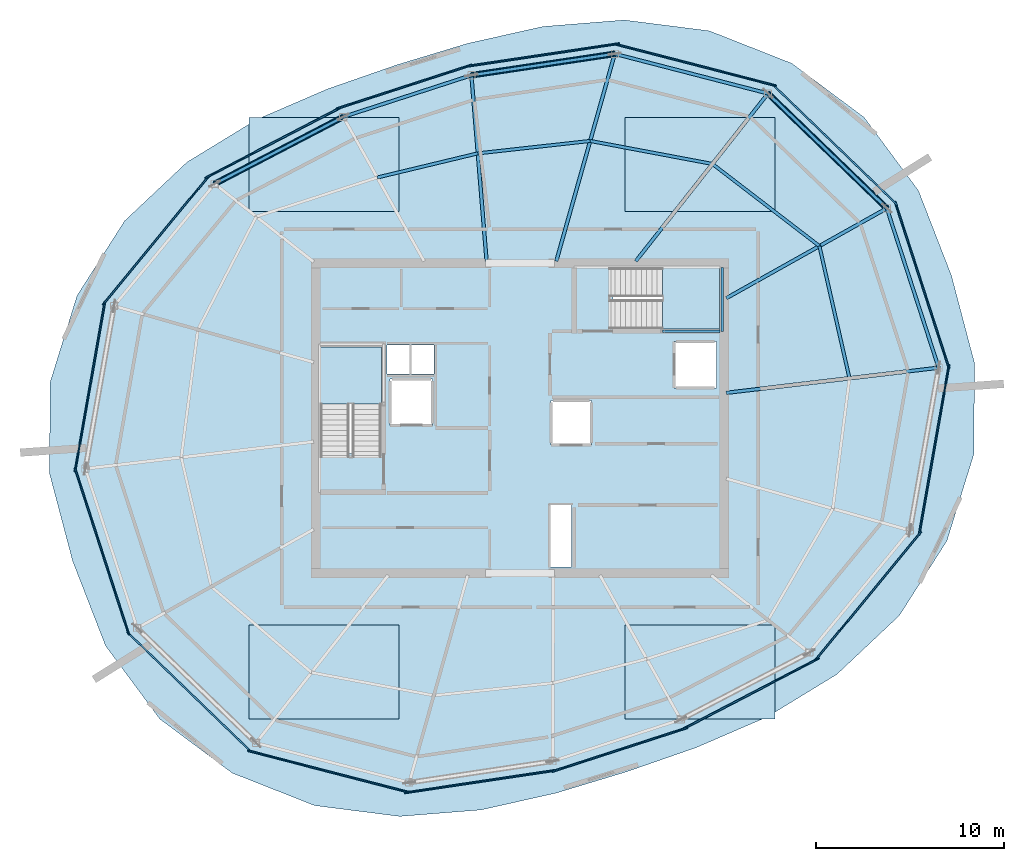
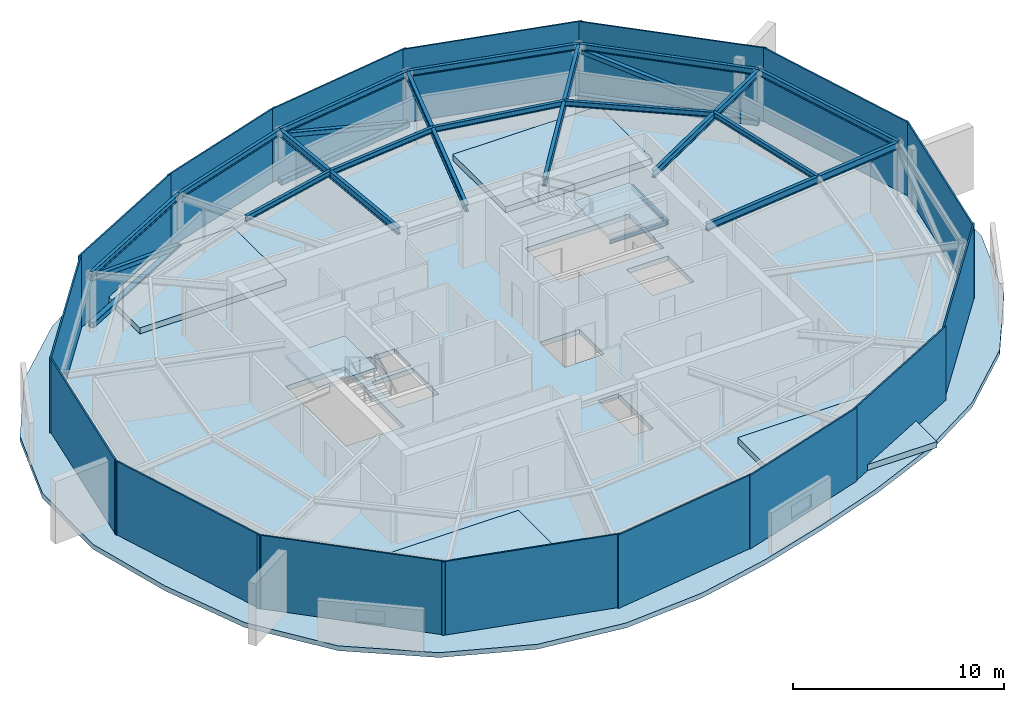
# One storey, part 5 of 10: 18 beams, 16 plates, 7 slabs, 6 members, 2 elements without a shape of their own.
"""IFC4 building model written with IfcOpenShell, lengths in metres."""

from ifc_helpers import new_model, si_unit, direction, frame, origin, origin_2d, place, context, subcontext, project, spatial, polyline, rectangle, hollow_rectangle, i_section, outline, extrude, material, layer, layer_set, material_profile, profile_set, type_object, element, aggregate, save


model = new_model("IFC4")

# Units and contexts
model_context = context("Model", 3, precision=1e-05, world=origin(), true_north=direction((0.0, 1.0)))
body_context = subcontext(model_context, "Body", "Model", "MODEL_VIEW")
ifc_project = project(units=[si_unit("LENGTHUNIT", "METRE"), si_unit("AREAUNIT", "SQUARE_METRE"), si_unit("VOLUMEUNIT", "CUBIC_METRE"), si_unit("PLANEANGLEUNIT", "RADIAN"), si_unit("MASSUNIT", "GRAM", prefix="KILO")], contexts=[model_context])

# Site, building, storey
site_placement = place(None, origin())
site = spatial("IfcSite", under=ifc_project, at=site_placement, CompositionType="ELEMENT")
building_placement = place(site_placement, origin())
building = spatial("IfcBuilding", under=site, at=building_placement, Name="Kazma Halo Residences", CompositionType="ELEMENT")
storey_placement = place(building_placement, frame((0.0, 0.0, 374.0)))
storey = spatial("IfcBuildingStorey", under=building, at=storey_placement, Name="L94", CompositionType="ELEMENT", Elevation=374.0)

# Beams
ifc_material_1 = material(Name="Steel S355", Category="steel")
ifc_material_profile_1 = material_profile(ifc_material_1, i_section(OverallWidth=0.177978515625, OverallDepth=0.406982421875, WebThickness=0.0078125, FlangeThickness=0.0126953125, FilletRadius=0.013916015625, at=origin_2d()), Name="W410x60")
ifc_profile_set_1 = profile_set([ifc_material_profile_1], Name="Steel S355")
beam_type_1 = type_object("IfcBeamType", Name="BM-RAD-W410", PredefinedType="BEAM", material=ifc_profile_set_1)
beam_1_placement = place(storey_placement, frame((59.39990234375, 48.38427734375, 3.156494140625), z_axis=(0.872500487018, 0.488613241894, 0.0), x_axis=(-0.488613241894, 0.872500487018, 0.0)))
element("IfcBeam", 1, at=beam_1_placement, inside=storey, type_object=beam_type_1, Name="L94 radial floor beam 01", PredefinedType="BEAM", context=body_context, shape_type="SweptSolid", body=[
    extrude(i_section(OverallWidth=0.177978515625, OverallDepth=0.406982421875, WebThickness=0.0078125, FlangeThickness=0.0126953125, FilletRadius=0.013916015625, at=origin_2d()), origin(), (0.0, 0.0, 1.0), 9.788818359375),
])
beam_2_placement = place(storey_placement, frame((54.58251953125, 50.35009765625, 3.156494140625), z_axis=(0.619100773028, 0.785311551447, 0.0), x_axis=(-0.785311551447, 0.619100773028, 0.0)))
element("IfcBeam", 2, at=beam_2_placement, inside=storey, type_object=beam_type_1, Name="L94 radial floor beam 02", PredefinedType="BEAM", context=body_context, shape_type="SweptSolid", body=[
    extrude(i_section(OverallWidth=0.177978515625, OverallDepth=0.406982421875, WebThickness=0.0078125, FlangeThickness=0.0126953125, FilletRadius=0.013916015625, at=origin_2d()), origin(), (0.0, 0.0, 1.0), 11.363037109375),
])
beam_3_placement = place(storey_placement, frame((50.35498046875, 50.35009765625, 3.156494140625), z_axis=(0.271433859027, 0.962457095238, 0.0), x_axis=(-0.962457095238, 0.271433859027, 0.0)))
element("IfcBeam", 3, at=beam_3_placement, inside=storey, type_object=beam_type_1, Name="L94 radial floor beam 03", PredefinedType="BEAM", context=body_context, shape_type="SweptSolid", body=[
    extrude(i_section(OverallWidth=0.177978515625, OverallDepth=0.406982421875, WebThickness=0.0078125, FlangeThickness=0.0126953125, FilletRadius=0.013916015625, at=origin_2d()), origin(), (0.0, 0.0, 1.0), 11.462646484375),
])
beam_4_placement = place(storey_placement, frame((46.64990234375, 50.35009765625, 3.156494140625), z_axis=(-0.081506605081, 0.996672801539, 0.0), x_axis=(-0.996672801539, -0.081506605081, 0.0)))
element("IfcBeam", 4, at=beam_4_placement, inside=storey, type_object=beam_type_1, Name="L94 radial floor beam 04", PredefinedType="BEAM", context=body_context, shape_type="SweptSolid", body=[
    extrude(i_section(OverallWidth=0.177978515625, OverallDepth=0.406982421875, WebThickness=0.0078125, FlangeThickness=0.0126953125, FilletRadius=0.013916015625, at=origin_2d()), origin(), (0.0, 0.0, 1.0), 9.926513671875),
])
beam_5_placement = place(storey_placement, frame((59.39990234375, 43.349365234375, 3.156494140625), z_axis=(0.993069497533, 0.117528605327, 0.0), x_axis=(-0.117528605327, 0.993069497533, 0.0)))
element("IfcBeam", 5, at=beam_5_placement, inside=storey, type_object=beam_type_1, Name="L94 radial floor beam 16", PredefinedType="BEAM", context=body_context, shape_type="SweptSolid", body=[
    extrude(i_section(OverallWidth=0.177978515625, OverallDepth=0.406982421875, WebThickness=0.0078125, FlangeThickness=0.0126953125, FilletRadius=0.013916015625, at=origin_2d()), origin(), (0.0, 0.0, 1.0), 11.375244140625),
])
ifc_material_profile_2 = material_profile(ifc_material_1, i_section(OverallWidth=0.1650390625, OverallDepth=0.31005859375, WebThickness=0.005859375, FlangeThickness=0.009765625, FilletRadius=0.011962890625, at=origin_2d()), Name="W310x38.7")
ifc_profile_set_2 = profile_set([ifc_material_profile_2], Name="Steel S355")
beam_type_2 = type_object("IfcBeamType", Name="BM-SEC-W310B", PredefinedType="JOIST", material=ifc_profile_set_2)
beam_6_placement = place(storey_placement, frame((64.353515625, 51.158447265625, 3.205078125), z_axis=(-0.793314295729, 0.608812309494, 0.0), x_axis=(-0.608812309494, -0.793314295729, 0.0)))
element("IfcBeam", 6, at=beam_6_placement, inside=storey, type_object=beam_type_2, Name="L94 circumferential floor joist 01", PredefinedType="JOIST", context=body_context, shape_type="SweptSolid", body=[
    extrude(i_section(OverallWidth=0.1650390625, OverallDepth=0.31005859375, WebThickness=0.005859375, FlangeThickness=0.009765625, FilletRadius=0.011962890625, at=origin_2d()), origin(), (0.0, 0.0, 1.0), 7.17333984375),
])
beam_7_placement = place(storey_placement, frame((58.662841796875, 55.525634765625, 3.205078125), z_axis=(-0.982768028721, 0.184843181435, 0.0), x_axis=(-0.184843181435, -0.982768028721, 0.0)))
element("IfcBeam", 7, at=beam_7_placement, inside=storey, type_object=beam_type_2, Name="L94 circumferential floor joist 02", PredefinedType="JOIST", context=body_context, shape_type="SweptSolid", body=[
    extrude(i_section(OverallWidth=0.1650390625, OverallDepth=0.31005859375, WebThickness=0.005859375, FlangeThickness=0.009765625, FilletRadius=0.011962890625, at=origin_2d()), origin(), (0.0, 0.0, 1.0), 6.6171875),
])
beam_8_placement = place(storey_placement, frame((52.15966796875, 56.748779296875, 3.205078125), z_axis=(-0.993955293014, -0.109785588714, 0.0), x_axis=(0.109785588714, -0.993955293014, 0.0)))
element("IfcBeam", 8, at=beam_8_placement, inside=storey, type_object=beam_type_2, Name="L94 circumferential floor joist 03", PredefinedType="JOIST", context=body_context, shape_type="SweptSolid", body=[
    extrude(i_section(OverallWidth=0.1650390625, OverallDepth=0.31005859375, WebThickness=0.005859375, FlangeThickness=0.009765625, FilletRadius=0.011962890625, at=origin_2d()), origin(), (0.0, 0.0, 1.0), 6.015380859375),
])
beam_9_placement = place(storey_placement, frame((46.1806640625, 56.08837890625, 3.205078125), z_axis=(-0.972370386067, -0.233443424194, 0.0), x_axis=(0.233443424194, -0.972370386067, 0.0)))
element("IfcBeam", 9, at=beam_9_placement, inside=storey, type_object=beam_type_2, Name="L94 circumferential floor joist 04", PredefinedType="JOIST", context=body_context, shape_type="SweptSolid", body=[
    extrude(i_section(OverallWidth=0.1650390625, OverallDepth=0.31005859375, WebThickness=0.005859375, FlangeThickness=0.009765625, FilletRadius=0.011962890625, at=origin_2d()), origin(), (0.0, 0.0, 1.0), 5.503173828125),
])
beam_10_placement = place(storey_placement, frame((65.951904296875, 44.124755859375, 3.205078125), z_axis=(-0.221597696416, 0.975138175308, 0.0), x_axis=(-0.975138175308, -0.221597696416, 0.0)))
element("IfcBeam", 10, at=beam_10_placement, inside=storey, type_object=beam_type_2, Name="L94 circumferential floor joist 16", PredefinedType="JOIST", context=body_context, shape_type="SweptSolid", body=[
    extrude(i_section(OverallWidth=0.1650390625, OverallDepth=0.31005859375, WebThickness=0.005859375, FlangeThickness=0.009765625, FilletRadius=0.011962890625, at=origin_2d()), origin(), (0.0, 0.0, 1.0), 7.213134765625),
])
ifc_material_profile_3 = material_profile(ifc_material_1, i_section(OverallWidth=0.1708984375, OverallDepth=0.35498046875, WebThickness=0.007080078125, FlangeThickness=0.01171875, FilletRadius=0.013916015625, at=origin_2d()), Name="W360x51")
ifc_profile_set_3 = profile_set([ifc_material_profile_3], Name="Steel S355")
beam_type_3 = type_object("IfcBeamType", Name="BM-SPN-W360", PredefinedType="BEAM", material=ifc_profile_set_3)
beam_11_placement = place(storey_placement, frame((67.940673828125, 53.167236328125, 3.1826171875), z_axis=(-0.719330630477, 0.694667866003, 0.0), x_axis=(-0.694667866003, -0.719330630477, 0.0)))
element("IfcBeam", 11, at=beam_11_placement, inside=storey, type_object=beam_type_3, Name="L94 CROWN FRAME ring beam 01", PredefinedType="BEAM", context=body_context, shape_type="SweptSolid", body=[
    extrude(i_section(OverallWidth=0.1708984375, OverallDepth=0.35498046875, WebThickness=0.007080078125, FlangeThickness=0.01171875, FilletRadius=0.013916015625, at=origin_2d()), origin(), (0.0, 0.0, 1.0), 8.79052734375),
])
beam_12_placement = place(storey_placement, frame((61.617431640625, 59.273681640625, 3.1826171875), z_axis=(-0.968129821283, 0.250448895271, 0.0), x_axis=(-0.250448895271, -0.968129821283, 0.0)))
element("IfcBeam", 12, at=beam_12_placement, inside=storey, type_object=beam_type_3, Name="L94 CROWN FRAME ring beam 02", PredefinedType="BEAM", context=body_context, shape_type="SweptSolid", body=[
    extrude(i_section(OverallWidth=0.1708984375, OverallDepth=0.35498046875, WebThickness=0.007080078125, FlangeThickness=0.01171875, FilletRadius=0.013916015625, at=origin_2d()), origin(), (0.0, 0.0, 1.0), 8.41943359375),
])
beam_13_placement = place(storey_placement, frame((53.46630859375, 61.38232421875, 3.1826171875), z_axis=(-0.989034152337, -0.147686984904, 0.0), x_axis=(0.147686984904, -0.989034152337, 0.0)))
element("IfcBeam", 13, at=beam_13_placement, inside=storey, type_object=beam_type_3, Name="L94 CROWN FRAME ring beam 03", PredefinedType="BEAM", context=body_context, shape_type="SweptSolid", body=[
    extrude(i_section(OverallWidth=0.1708984375, OverallDepth=0.35498046875, WebThickness=0.007080078125, FlangeThickness=0.01171875, FilletRadius=0.013916015625, at=origin_2d()), origin(), (0.0, 0.0, 1.0), 7.7099609375),
])
beam_14_placement = place(storey_placement, frame((45.8408203125, 60.24365234375, 3.1826171875), z_axis=(-0.951067102, -0.308984413026, 0.0), x_axis=(0.308984413026, -0.951067102, 0.0)))
element("IfcBeam", 14, at=beam_14_placement, inside=storey, type_object=beam_type_3, Name="L94 CROWN FRAME ring beam 04", PredefinedType="BEAM", context=body_context, shape_type="SweptSolid", body=[
    extrude(i_section(OverallWidth=0.1708984375, OverallDepth=0.35498046875, WebThickness=0.007080078125, FlangeThickness=0.01171875, FilletRadius=0.013916015625, at=origin_2d()), origin(), (0.0, 0.0, 1.0), 7.168212890625),
])
beam_15_placement = place(storey_placement, frame((39.0234375, 58.02880859375, 3.1826171875), z_axis=(-0.886940838721, -0.461883046461, 0.0), x_axis=(0.461883046461, -0.886940838721, 0.0)))
element("IfcBeam", 15, at=beam_15_placement, inside=storey, type_object=beam_type_3, Name="L94 CROWN FRAME ring beam 05", PredefinedType="BEAM", context=body_context, shape_type="SweptSolid", body=[
    extrude(i_section(OverallWidth=0.1708984375, OverallDepth=0.35498046875, WebThickness=0.007080078125, FlangeThickness=0.01171875, FilletRadius=0.013916015625, at=origin_2d()), origin(), (0.0, 0.0, 1.0), 7.71044921875),
])
beam_16_placement = place(storey_placement, frame((70.6962890625, 44.686279296875, 3.1826171875), z_axis=(-0.309015498459, 0.951057002346, 0.0), x_axis=(-0.951057002346, -0.309015498459, 0.0)))
element("IfcBeam", 16, at=beam_16_placement, inside=storey, type_object=beam_type_3, Name="L94 CROWN FRAME ring beam 16", PredefinedType="BEAM", context=body_context, shape_type="SweptSolid", body=[
    extrude(i_section(OverallWidth=0.1708984375, OverallDepth=0.35498046875, WebThickness=0.007080078125, FlangeThickness=0.01171875, FilletRadius=0.013916015625, at=origin_2d()), origin(), (0.0, 0.0, 1.0), 8.91748046875),
])
ifc_material_profile_4 = material_profile(ifc_material_1, i_section(OverallWidth=0.133056640625, OverallDepth=0.20703125, WebThickness=0.005859375, FlangeThickness=0.00830078125, FilletRadius=0.010009765625, at=origin_2d()), Name="W200x26.6")
ifc_profile_set_4 = profile_set([ifc_material_profile_4], Name="Steel S355")
beam_type_4 = type_object("IfcBeamType", Name="BM-TRIM-W200", PredefinedType="BEAM", material=ifc_profile_set_4)
beam_17_placement = place(storey_placement, frame((56.0, 46.6201171875, 1.4951171875), z_axis=(1.0, 0.0, 0.0), x_axis=(0.0, 1.0, 0.0)))
element("IfcBeam", 17, at=beam_17_placement, inside=storey, type_object=beam_type_4, Name="L94 ST-02 landing south wall ledger", PredefinedType="BEAM", context=body_context, shape_type="SweptSolid", body=[
    extrude(i_section(OverallWidth=0.133056640625, OverallDepth=0.20703125, WebThickness=0.005859375, FlangeThickness=0.00830078125, FilletRadius=0.010009765625, at=origin_2d()), origin(), (0.0, 0.0, 1.0), 3.070068359375),
])
beam_18_placement = place(storey_placement, frame((59.18994140625, 46.6201171875, 1.4951171875), z_axis=(0.0, 1.0, 0.0), x_axis=(-1.0, 0.0, 0.0)))
element("IfcBeam", 18, at=beam_18_placement, inside=storey, type_object=beam_type_4, Name="L94 ST-02 landing end wall ledger", PredefinedType="BEAM", context=body_context, shape_type="SweptSolid", body=[
    extrude(i_section(OverallWidth=0.133056640625, OverallDepth=0.20703125, WebThickness=0.005859375, FlangeThickness=0.00830078125, FilletRadius=0.010009765625, at=origin_2d()), origin(), (0.0, 0.0, 1.0), 3.39990234375),
])

# Members
ifc_material_profile_5 = material_profile(ifc_material_1, hollow_rectangle(XDim=0.25, YDim=0.25, WallThickness=0.010009765625, InnerFilletRadius=0.010009765625, OuterFilletRadius=0.02001953125, at=origin_2d()), Name="SHS250x250x10")
ifc_profile_set_5 = profile_set([ifc_material_profile_5], Name="Steel S355")
member_type_1 = type_object("IfcMemberType", Name="MBR-CRWN-SHS250", PredefinedType="BRACE", material=ifc_profile_set_5)
member_1_placement = place(storey_placement, frame((67.940673828125, 53.167236328125, 0.280029296875), z_axis=(-0.687626650501, 0.664050879626, 0.293608614976), x_axis=(-0.694667866003, -0.719330630477, 0.0)))
element("IfcMember", 19, at=member_1_placement, inside=storey, type_object=member_type_1, Name="L94 CROWN FRAME diagonal brace 01", PredefinedType="BRACE", context=body_context, shape_type="SweptSolid", body=[
    extrude(hollow_rectangle(XDim=0.25, YDim=0.25, WallThickness=0.010009765625, InnerFilletRadius=0.010009765625, OuterFilletRadius=0.02001953125, at=origin_2d()), origin(), (0.0, 0.0, 1.0), 9.19580078125),
])
member_2_placement = place(storey_placement, frame((53.46630859375, 61.38232421875, 0.280029296875), z_axis=(-0.933453821747, -0.139387482379, 0.330507325821), x_axis=(0.147686984904, -0.989034152337, 0.0)))
element("IfcMember", 20, at=member_2_placement, inside=storey, type_object=member_type_1, Name="L94 CROWN FRAME diagonal brace 03", PredefinedType="BRACE", context=body_context, shape_type="SweptSolid", body=[
    extrude(hollow_rectangle(XDim=0.25, YDim=0.25, WallThickness=0.010009765625, InnerFilletRadius=0.010009765625, OuterFilletRadius=0.02001953125, at=origin_2d()), origin(), (0.0, 0.0, 1.0), 8.169189453125),
])
member_3_placement = place(storey_placement, frame((39.0234375, 58.02880859375, 0.280029296875), z_axis=(-0.837101517321, -0.435928736323, 0.330495365394), x_axis=(0.461883046461, -0.886940838721, 0.0)))
element("IfcMember", 21, at=member_3_placement, inside=storey, type_object=member_type_1, Name="L94 CROWN FRAME diagonal brace 05", PredefinedType="BRACE", context=body_context, shape_type="SweptSolid", body=[
    extrude(hollow_rectangle(XDim=0.25, YDim=0.25, WallThickness=0.010009765625, InnerFilletRadius=0.010009765625, OuterFilletRadius=0.02001953125, at=origin_2d()), origin(), (0.0, 0.0, 1.0), 8.16943359375),
])
ifc_material_profile_6 = material_profile(ifc_material_1, hollow_rectangle(XDim=0.300048828125, YDim=0.300048828125, WallThickness=0.012451171875, InnerFilletRadius=0.012451171875, OuterFilletRadius=0.02490234375, at=origin_2d()), Name="SHS300x300x12.5")
ifc_profile_set_6 = profile_set([ifc_material_profile_6], Name="Steel S355")
member_type_2 = type_object("IfcMemberType", Name="MBR-CRWN-SHS300", PredefinedType="CHORD", material=ifc_profile_set_6)
member_4_placement = place(storey_placement, frame((67.940673828125, 53.167236328125, 0.280029296875), z_axis=(-0.719330630477, 0.694667866003, 0.0), x_axis=(-0.694667866003, -0.719330630477, 0.0)))
element("IfcMember", 22, at=member_4_placement, inside=storey, type_object=member_type_2, Name="L94 CROWN FRAME horizontal ring chord 01", PredefinedType="CHORD", context=body_context, shape_type="SweptSolid", body=[
    extrude(hollow_rectangle(XDim=0.300048828125, YDim=0.300048828125, WallThickness=0.012451171875, InnerFilletRadius=0.012451171875, OuterFilletRadius=0.02490234375, at=origin_2d()), origin(), (0.0, 0.0, 1.0), 8.79052734375),
])
member_5_placement = place(storey_placement, frame((53.46630859375, 61.38232421875, 0.280029296875), z_axis=(-0.989034152337, -0.147686984904, 0.0), x_axis=(0.147686984904, -0.989034152337, 0.0)))
element("IfcMember", 23, at=member_5_placement, inside=storey, type_object=member_type_2, Name="L94 CROWN FRAME horizontal ring chord 03", PredefinedType="CHORD", context=body_context, shape_type="SweptSolid", body=[
    extrude(hollow_rectangle(XDim=0.300048828125, YDim=0.300048828125, WallThickness=0.012451171875, InnerFilletRadius=0.012451171875, OuterFilletRadius=0.02490234375, at=origin_2d()), origin(), (0.0, 0.0, 1.0), 7.7099609375),
])
member_6_placement = place(storey_placement, frame((39.0234375, 58.02880859375, 0.280029296875), z_axis=(-0.886940838721, -0.461883046461, 0.0), x_axis=(0.461883046461, -0.886940838721, 0.0)))
element("IfcMember", 24, at=member_6_placement, inside=storey, type_object=member_type_2, Name="L94 CROWN FRAME horizontal ring chord 05", PredefinedType="CHORD", context=body_context, shape_type="SweptSolid", body=[
    extrude(hollow_rectangle(XDim=0.300048828125, YDim=0.300048828125, WallThickness=0.012451171875, InnerFilletRadius=0.012451171875, OuterFilletRadius=0.02490234375, at=origin_2d()), origin(), (0.0, 0.0, 1.0), 7.71044921875),
])

# Plates
ifc_material_2 = material(Name="Aluminium AW-6063 T6 Perforated Acoustic Louvre Screen", Category="aluminium")
ifc_layer_1 = layer(ifc_material_2, 0.080078125)
ifc_layer_set_1 = layer_set([ifc_layer_1], Name="Aluminium AW-6063 T6 Perforated Acoustic Louvre Screen")
plate_type = type_object("IfcPlateType", Name="PLT-CROWN-LOUVRE", PredefinedType="SHEET", material=ifc_layer_set_1)
plate_1_placement = place(storey_placement, frame((65.17578125, 56.556640625, 0.0), z_axis=(0.0, 0.0, 1.0), x_axis=(-0.719342064482, 0.694656025863, 0.0)))
element("IfcPlate", 25, at=plate_1_placement, inside=storey, type_object=plate_type, Name="L94 pale-metal acoustic louvre screen 01", PredefinedType="SHEET", context=body_context, shape_type="SweptSolid", body=[
    extrude(rectangle(XDim=9.1904296875, YDim=0.080078125, at=origin_2d()), origin(), (0.0, 0.0, 1.0), 4.25),
])
plate_2_placement = place(storey_placement, frame((57.781982421875, 60.789306640625, 0.0), z_axis=(0.0, 0.0, 1.0), x_axis=(-0.968124370805, 0.250469963576, 0.0)))
element("IfcPlate", 26, at=plate_2_placement, inside=storey, type_object=plate_type, Name="L94 pale-metal acoustic louvre screen 02", PredefinedType="SHEET", context=body_context, shape_type="SweptSolid", body=[
    extrude(rectangle(XDim=8.8193359375, YDim=0.080078125, at=origin_2d()), origin(), (0.0, 0.0, 1.0), 4.25),
])
plate_3_placement = place(storey_placement, frame((49.69921875, 61.3310546875, 0.0), z_axis=(0.0, 0.0, 1.0), x_axis=(-0.98903421845, -0.147686542161, 0.0)))
element("IfcPlate", 27, at=plate_3_placement, inside=storey, type_object=plate_type, Name="L94 pale-metal acoustic louvre screen 03", PredefinedType="SHEET", context=body_context, shape_type="SweptSolid", body=[
    extrude(rectangle(XDim=8.110107421875, YDim=0.080078125, at=origin_2d()), origin(), (0.0, 0.0, 1.0), 4.25),
])
plate_4_placement = place(storey_placement, frame((42.271484375, 59.630615234375, 0.0), z_axis=(0.0, 0.0, 1.0), x_axis=(-0.951058260985, -0.309011624721, 0.0)))
element("IfcPlate", 28, at=plate_4_placement, inside=storey, type_object=plate_type, Name="L94 pale-metal acoustic louvre screen 04", PredefinedType="SHEET", context=body_context, shape_type="SweptSolid", body=[
    extrude(rectangle(XDim=7.568115234375, YDim=0.080078125, at=origin_2d()), origin(), (0.0, 0.0, 1.0), 4.25),
])
plate_5_placement = place(storey_placement, frame((35.262939453125, 56.640380859375, 0.0), z_axis=(0.0, 0.0, 1.0), x_axis=(-0.886949727325, -0.461865977529, 0.0)))
element("IfcPlate", 29, at=plate_5_placement, inside=storey, type_object=plate_type, Name="L94 pale-metal acoustic louvre screen 05", PredefinedType="SHEET", context=body_context, shape_type="SweptSolid", body=[
    extrude(rectangle(XDim=8.110107421875, YDim=0.080078125, at=origin_2d()), origin(), (0.0, 0.0, 1.0), 4.25),
])
plate_6_placement = place(storey_placement, frame((29.0419921875, 51.451171875, 0.0), z_axis=(0.0, 0.0, 1.0), x_axis=(-0.636007787073, -0.771682638643, 0.0)))
element("IfcPlate", 30, at=plate_6_placement, inside=storey, type_object=plate_type, Name="L94 pale-metal acoustic louvre screen 06", PredefinedType="SHEET", context=body_context, shape_type="SweptSolid", body=[
    extrude(rectangle(XDim=8.8193359375, YDim=0.080078125, at=origin_2d()), origin(), (0.0, 0.0, 1.0), 4.25),
])
plate_7_placement = place(storey_placement, frame((25.54833984375, 43.680908203125, 0.0), z_axis=(0.0, 0.0, 1.0), x_axis=(-0.173656186938, -0.984806340728, 0.0)))
element("IfcPlate", 31, at=plate_7_placement, inside=storey, type_object=plate_type, Name="L94 pale-metal acoustic louvre screen 07", PredefinedType="SHEET", context=body_context, shape_type="SweptSolid", body=[
    extrude(rectangle(XDim=9.1904296875, YDim=0.080078125, at=origin_2d()), origin(), (0.0, 0.0, 1.0), 4.25),
])
plate_8_placement = place(storey_placement, frame((26.18701171875, 34.91259765625, 0.0), z_axis=(0.0, 0.0, 1.0), x_axis=(0.309022680214, -0.951054668835, 0.0)))
element("IfcPlate", 32, at=plate_8_placement, inside=storey, type_object=plate_type, Name="L94 pale-metal acoustic louvre screen 08", PredefinedType="SHEET", context=body_context, shape_type="SweptSolid", body=[
    extrude(rectangle(XDim=9.3173828125, YDim=0.080078125, at=origin_2d()), origin(), (0.0, 0.0, 1.0), 4.25),
])
plate_9_placement = place(storey_placement, frame((30.82421875, 27.443359375, 0.0), z_axis=(0.0, 0.0, 1.0), x_axis=(0.719342064482, -0.694656025863, 0.0)))
element("IfcPlate", 33, at=plate_9_placement, inside=storey, type_object=plate_type, Name="L94 pale-metal acoustic louvre screen 09", PredefinedType="SHEET", context=body_context, shape_type="SweptSolid", body=[
    extrude(rectangle(XDim=9.1904296875, YDim=0.080078125, at=origin_2d()), origin(), (0.0, 0.0, 1.0), 4.25),
])
plate_10_placement = place(storey_placement, frame((38.218017578125, 23.210693359375, 0.0), z_axis=(0.0, 0.0, 1.0), x_axis=(0.968124370805, -0.250469963576, 0.0)))
element("IfcPlate", 34, at=plate_10_placement, inside=storey, type_object=plate_type, Name="L94 pale-metal acoustic louvre screen 10", PredefinedType="SHEET", context=body_context, shape_type="SweptSolid", body=[
    extrude(rectangle(XDim=8.8193359375, YDim=0.080078125, at=origin_2d()), origin(), (0.0, 0.0, 1.0), 4.25),
])
plate_11_placement = place(storey_placement, frame((46.30078125, 22.6689453125, 0.0), z_axis=(0.0, 0.0, 1.0), x_axis=(0.98903421845, 0.147686542161, 0.0)))
element("IfcPlate", 35, at=plate_11_placement, inside=storey, type_object=plate_type, Name="L94 pale-metal acoustic louvre screen 11", PredefinedType="SHEET", context=body_context, shape_type="SweptSolid", body=[
    extrude(rectangle(XDim=8.110107421875, YDim=0.080078125, at=origin_2d()), origin(), (0.0, 0.0, 1.0), 4.25),
])
plate_12_placement = place(storey_placement, frame((53.728515625, 24.369384765625, 0.0), z_axis=(0.0, 0.0, 1.0), x_axis=(0.951058260985, 0.309011624721, 0.0)))
element("IfcPlate", 36, at=plate_12_placement, inside=storey, type_object=plate_type, Name="L94 pale-metal acoustic louvre screen 12", PredefinedType="SHEET", context=body_context, shape_type="SweptSolid", body=[
    extrude(rectangle(XDim=7.568115234375, YDim=0.080078125, at=origin_2d()), origin(), (0.0, 0.0, 1.0), 4.25),
])
plate_13_placement = place(storey_placement, frame((60.737060546875, 27.359619140625, 0.0), z_axis=(0.0, 0.0, 1.0), x_axis=(0.886949727325, 0.461865977529, 0.0)))
element("IfcPlate", 37, at=plate_13_placement, inside=storey, type_object=plate_type, Name="L94 pale-metal acoustic louvre screen 13", PredefinedType="SHEET", context=body_context, shape_type="SweptSolid", body=[
    extrude(rectangle(XDim=8.110107421875, YDim=0.080078125, at=origin_2d()), origin(), (0.0, 0.0, 1.0), 4.25),
])
plate_14_placement = place(storey_placement, frame((66.9580078125, 32.548828125, 0.0), z_axis=(0.0, 0.0, 1.0), x_axis=(0.636007787073, 0.771682638643, 0.0)))
element("IfcPlate", 38, at=plate_14_placement, inside=storey, type_object=plate_type, Name="L94 pale-metal acoustic louvre screen 14", PredefinedType="SHEET", context=body_context, shape_type="SweptSolid", body=[
    extrude(rectangle(XDim=8.8193359375, YDim=0.080078125, at=origin_2d()), origin(), (0.0, 0.0, 1.0), 4.25),
])
plate_15_placement = place(storey_placement, frame((70.45166015625, 40.319091796875, 0.0), z_axis=(0.0, 0.0, 1.0), x_axis=(0.173656186938, 0.984806340728, 0.0)))
element("IfcPlate", 39, at=plate_15_placement, inside=storey, type_object=plate_type, Name="L94 pale-metal acoustic louvre screen 15", PredefinedType="SHEET", context=body_context, shape_type="SweptSolid", body=[
    extrude(rectangle(XDim=9.1904296875, YDim=0.080078125, at=origin_2d()), origin(), (0.0, 0.0, 1.0), 4.25),
])
plate_16_placement = place(storey_placement, frame((69.81298828125, 49.08740234375, 0.0), z_axis=(0.0, 0.0, 1.0), x_axis=(-0.309022680214, 0.951054668835, 0.0)))
element("IfcPlate", 40, at=plate_16_placement, inside=storey, type_object=plate_type, Name="L94 pale-metal acoustic louvre screen 16", PredefinedType="SHEET", context=body_context, shape_type="SweptSolid", body=[
    extrude(rectangle(XDim=9.3173828125, YDim=0.080078125, at=origin_2d()), origin(), (0.0, 0.0, 1.0), 4.25),
])

# Slabs
ifc_material_3 = material(Name="Concrete C50/60", Category="concrete")
ifc_layer_2 = layer(ifc_material_3, 0.280029296875)
ifc_layer_set_2 = layer_set([ifc_layer_2], Name="Concrete C50/60")
slab_type_1 = type_object("IfcSlabType", Name="SLB-MEP-280", PredefinedType="FLOOR", material=ifc_layer_set_2)
slab_1_placement = place(storey_placement, frame((0.0, 0.0, -0.280029296875)))
element("IfcSlab", 41, at=slab_1_placement, inside=storey, type_object=slab_type_1, Name="L94 structural floor slab", PredefinedType="FLOOR", context=body_context, shape_type="SweptSolid", body=[
    extrude(outline(polyline([(71.375, 49.594970703125), (69.62158203125, 54.108642578125), (66.736572265625, 58.00244140625), (62.88232421875, 60.878173828125), (58.49951171875, 62.606201171875), (53.97412109375, 63.18310546875), (49.639892578125, 62.836181640625), (45.64013671875, 61.9384765625), (41.889892578125, 60.80517578125), (38.189697265625, 59.517578125), (34.426025390625, 57.89306640625), (30.7158203125, 55.625732421875), (27.393798828125, 52.49951171875), (24.863525390625, 48.525146484375), (23.435791015625, 43.93310546875), (23.390380859375, 39.08740234375), (24.625, 34.405029296875), (26.37841796875, 29.891357421875), (29.263427734375, 25.99755859375), (33.11767578125, 23.121826171875), (37.50048828125, 21.393798828125), (42.02587890625, 20.81689453125), (46.360107421875, 21.163818359375), (50.35986328125, 22.0615234375), (54.110107421875, 23.19482421875), (57.810302734375, 24.482421875), (61.573974609375, 26.10693359375), (65.2841796875, 28.374267578125), (68.606201171875, 31.50048828125), (71.136474609375, 35.474853515625), (72.564208984375, 40.06689453125), (72.609619140625, 44.91259765625), (71.375, 49.594970703125)]), holes=[polyline([(37.800048828125, 40.110107421875), (41.050048828125, 40.110107421875), (41.050048828125, 45.800048828125), (37.800048828125, 45.800048828125), (37.800048828125, 40.110107421875)]), polyline([(53.360107421875, 46.75), (59.050048828125, 46.75), (59.050048828125, 50.0), (53.360107421875, 50.0), (53.360107421875, 46.75)]), polyline([(41.52001953125, 41.6201171875), (43.780029296875, 41.6201171875), (43.780029296875, 44.080078125), (41.52001953125, 44.080078125), (41.52001953125, 41.6201171875)]), polyline([(56.6201171875, 43.6201171875), (58.8798828125, 43.6201171875), (58.8798828125, 46.080078125), (56.6201171875, 46.080078125), (56.6201171875, 43.6201171875)]), polyline([(50.070068359375, 40.570068359375), (52.22998046875, 40.570068359375), (52.22998046875, 42.929931640625), (50.070068359375, 42.929931640625), (50.070068359375, 40.570068359375)]), polyline([(41.360107421875, 44.340087890625), (42.5400390625, 44.340087890625), (42.5400390625, 45.89990234375), (41.360107421875, 45.89990234375), (41.360107421875, 44.340087890625)]), polyline([(42.659912109375, 44.340087890625), (43.840087890625, 44.340087890625), (43.840087890625, 45.89990234375), (42.659912109375, 45.89990234375), (42.659912109375, 44.340087890625)]), polyline([(50.06005859375, 34.080078125), (51.159912109375, 34.080078125), (51.159912109375, 37.3798828125), (50.06005859375, 37.3798828125), (50.06005859375, 34.080078125)])]), origin(), (0.0, 0.0, 1.0), 0.280029296875),
])
ifc_layer_3 = layer(ifc_material_3, 0.35009765625)
ifc_layer_set_3 = layer_set([ifc_layer_3], Name="Concrete C50/60")
slab_type_2 = type_object("IfcSlabType", Name="SLB-PLINTH-350", PredefinedType="FLOOR", material=ifc_layer_set_3)
slab_2_placement = place(storey_placement, origin())
element("IfcSlab", 42, at=slab_2_placement, inside=storey, type_object=slab_type_2, Name="L94 mechanical chiller and cooling-tower plinth 1", PredefinedType="FLOOR", context=body_context, shape_type="SweptSolid", body=[
    extrude(outline(polyline([(34.0, 26.0), (42.0, 26.0), (42.0, 31.0), (34.0, 31.0), (34.0, 26.0)])), origin(), (0.0, 0.0, 1.0), 0.35009765625),
])
slab_3_placement = place(storey_placement, origin())
element("IfcSlab", 43, at=slab_3_placement, inside=storey, type_object=slab_type_2, Name="L94 mechanical chiller and cooling-tower plinth 2", PredefinedType="FLOOR", context=body_context, shape_type="SweptSolid", body=[
    extrude(outline(polyline([(54.0, 26.0), (62.0, 26.0), (62.0, 31.0), (54.0, 31.0), (54.0, 26.0)])), origin(), (0.0, 0.0, 1.0), 0.35009765625),
])
slab_4_placement = place(storey_placement, origin())
element("IfcSlab", 44, at=slab_4_placement, inside=storey, type_object=slab_type_2, Name="L94 mechanical chiller and cooling-tower plinth 3", PredefinedType="FLOOR", context=body_context, shape_type="SweptSolid", body=[
    extrude(outline(polyline([(34.0, 53.0), (42.0, 53.0), (42.0, 58.0), (34.0, 58.0), (34.0, 53.0)])), origin(), (0.0, 0.0, 1.0), 0.35009765625),
])
slab_5_placement = place(storey_placement, origin())
element("IfcSlab", 45, at=slab_5_placement, inside=storey, type_object=slab_type_2, Name="L94 mechanical chiller and cooling-tower plinth 4", PredefinedType="FLOOR", context=body_context, shape_type="SweptSolid", body=[
    extrude(outline(polyline([(54.0, 53.0), (62.0, 53.0), (62.0, 58.0), (54.0, 58.0), (54.0, 53.0)])), origin(), (0.0, 0.0, 1.0), 0.35009765625),
])

# Stair, slab
stair_type = type_object("IfcStairType", Name="STR-CRWN", PredefinedType="HALF_TURN_STAIR", material=ifc_material_3)
stair_1_placement = place(storey_placement, origin())
stair_1 = element("IfcStair", 46, at=stair_1_placement, inside=storey, type_object=stair_type, Name="L94 Core exit stair ST-01", PredefinedType="HALF_TURN_STAIR")
ifc_layer_4 = layer(ifc_material_3, 0.199951171875)
ifc_layer_set_4 = layer_set([ifc_layer_4], Name="Concrete C50/60")
slab_type_3 = type_object("IfcSlabType", Name="SLB-STAIR-LND-200", PredefinedType="LANDING", material=ifc_layer_set_4)
slab_6_placement = place(storey_placement, frame((0.0, 0.0, 1.60009765625)))
slab_6 = element("IfcSlab", 47, at=slab_6_placement, type_object=slab_type_3, Name="ST-01 landing 1", PredefinedType="LANDING", context=body_context, shape_type="SweptSolid", body=[
    extrude(outline(polyline([(41.050048828125, 42.75), (41.050048828125, 45.800048828125), (37.800048828125, 45.800048828125), (37.800048828125, 42.75), (41.050048828125, 42.75)])), origin(), (0.0, 0.0, 1.0), 0.199951171875),
])
aggregate(stair_1, [slab_6])

stair_2_placement = place(storey_placement, origin())
stair_2 = element("IfcStair", 48, at=stair_2_placement, inside=storey, type_object=stair_type, Name="L94 Core exit stair ST-02", PredefinedType="HALF_TURN_STAIR")
slab_7_placement = place(storey_placement, frame((0.0, 0.0, 1.60009765625)))
slab_7 = element("IfcSlab", 49, at=slab_7_placement, type_object=slab_type_3, Name="ST-02 landing 1", PredefinedType="LANDING", context=body_context, shape_type="SweptSolid", body=[
    extrude(outline(polyline([(56.0, 46.75), (59.050048828125, 46.75), (59.050048828125, 50.0), (56.0, 50.0), (56.0, 46.75)])), origin(), (0.0, 0.0, 1.0), 0.199951171875),
])
aggregate(stair_2, [slab_7])

save(model, "model.ifc")
